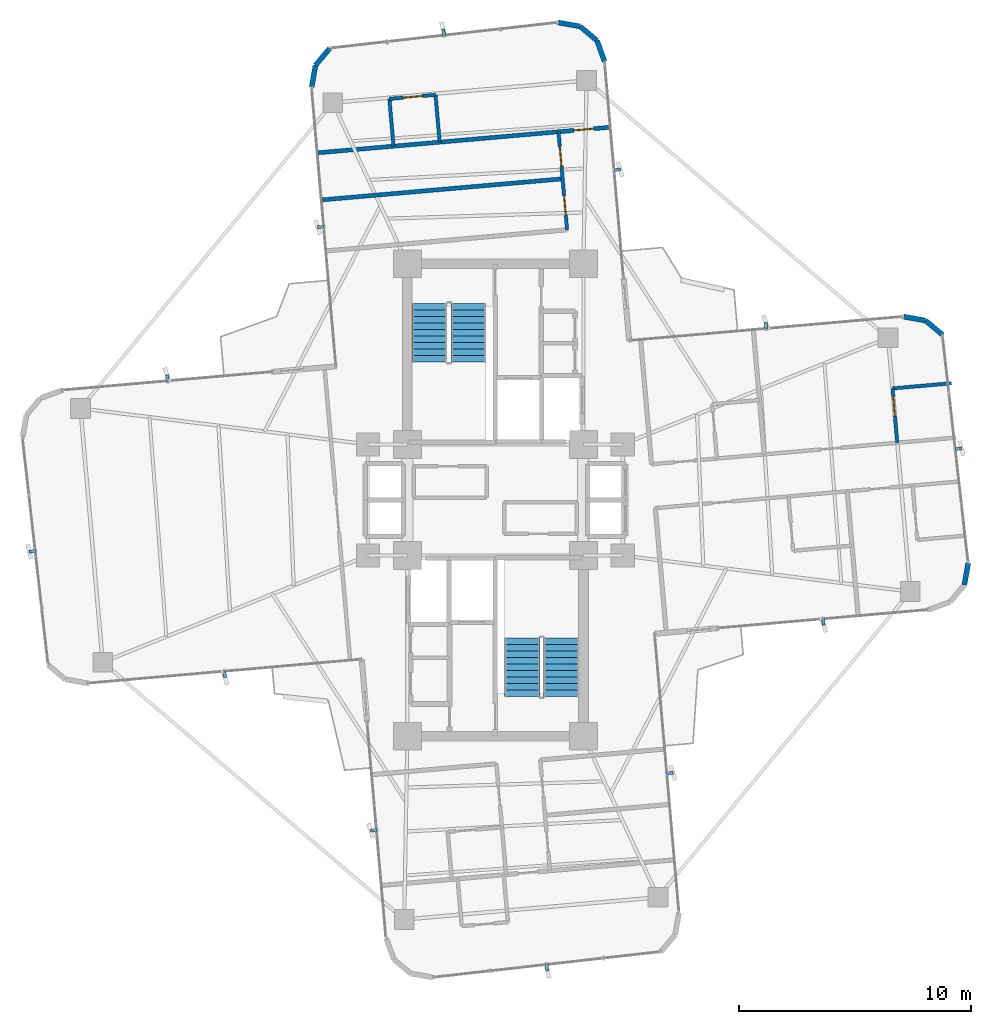
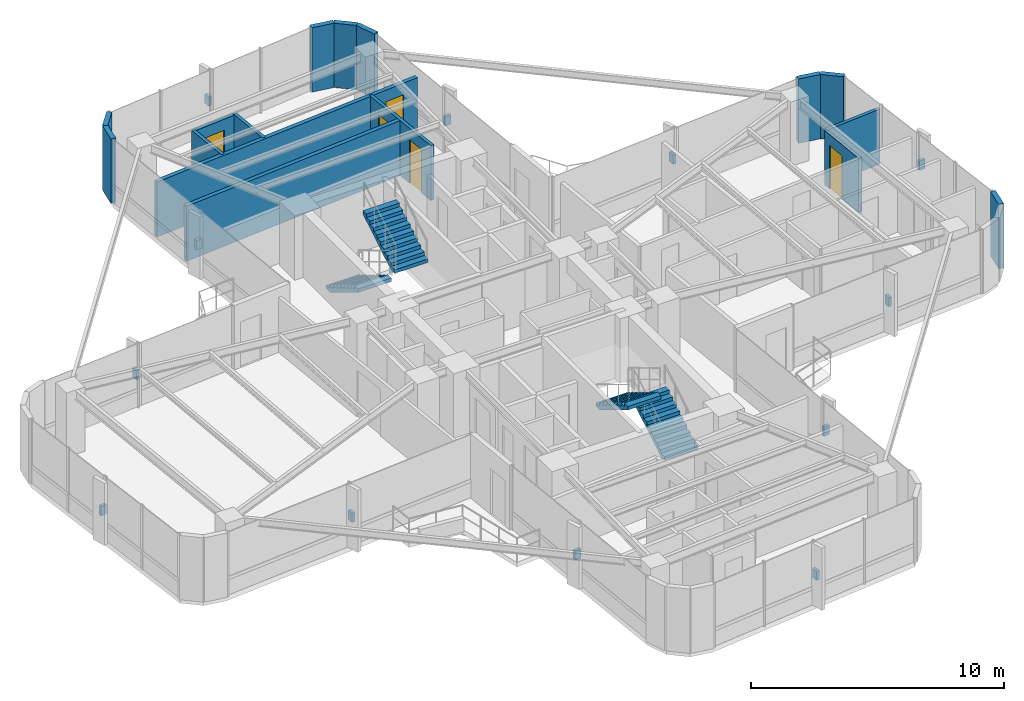
# One storey, part 23 of 24: 16 walls, 12 discrete accessories, 5 doors, 4 stair flights, 5 openings, 2 elements without a shape of their own.
"""IFC4 building model written with IfcOpenShell, lengths in metres."""

from ifc_helpers import new_model, si_unit, direction, frame, frame_2d, origin, origin_2d, place, context, subcontext, project, spatial, polyline, rectangle, outline, extrude, source, transform, mapped, material, layer, layer_set, type_object, element, fill, aggregate, save


model = new_model("IFC4")

# Units and contexts
model_context = context("Model", 3, precision=1e-05, world=origin(), true_north=direction((0.0, 1.0)))
body_context = subcontext(model_context, "Body", "Model", "MODEL_VIEW")
ifc_project = project(units=[si_unit("LENGTHUNIT", "METRE"), si_unit("AREAUNIT", "SQUARE_METRE"), si_unit("VOLUMEUNIT", "CUBIC_METRE"), si_unit("PLANEANGLEUNIT", "RADIAN"), si_unit("MASSUNIT", "GRAM", prefix="KILO")], contexts=[model_context])

# Site, building, storey
site_placement = place(None, origin())
site = spatial("IfcSite", under=ifc_project, at=site_placement, CompositionType="ELEMENT")
building_placement = place(site_placement, origin())
building = spatial("IfcBuilding", under=site, at=building_placement, Name="Sahyath Konkavel Grand Hotel", CompositionType="ELEMENT")
storey_placement = place(building_placement, frame((0.0, 0.0, 164.0)))
storey = spatial("IfcBuildingStorey", under=building, at=storey_placement, Name="L45", CompositionType="ELEMENT", Elevation=164.0)

# Walls
ifc_material_1 = material(Name="Warm Buff Sandstone Insulated Concrete C40/50", Category="masonry")
ifc_layer_1 = layer(ifc_material_1, 0.219970703125)
ifc_layer_set_1 = layer_set([ifc_layer_1], Name="Warm Buff Sandstone Insulated Concrete C40/50")
wall_type_1 = type_object("IfcWallType", Name="WLL-BALC-THRESH", PredefinedType="STANDARD", material=ifc_layer_set_1)
wall_1_placement = place(storey_placement, frame((20.24951171875, -3.674072265625, 0.0), z_axis=(0.0, 0.0, 1.0), x_axis=(0.173610811841, 0.984814340885, 0.0)))
element("IfcWall", 1, at=wall_1_placement, inside=storey, type_object=wall_type_1, Name="L45 Rounded Corner Sandstone Pier 3", PredefinedType="STANDARD", context=body_context, shape_type="SweptSolid", body=[
    extrude(rectangle(XDim=0.957763671875, YDim=0.219970703125, at=frame_2d((0.47900390625, 0.0))), origin(), (0.0, 0.0, 1.0), 3.110107421875),
])
wall_2_placement = place(storey_placement, frame((19.3037109375, 7.134521484375, 0.0), z_axis=(0.0, 0.0, 1.0), x_axis=(-0.766001159887, 0.642839189107, 0.0)))
element("IfcWall", 2, at=wall_2_placement, inside=storey, type_object=wall_type_1, Name="L45 Rounded Corner Sandstone Pier 5", PredefinedType="STANDARD", context=body_context, shape_type="SweptSolid", body=[
    extrude(rectangle(XDim=0.95751953125, YDim=0.219970703125, at=frame_2d((0.478759765625, 0.0))), origin(), (0.0, 0.0, 1.0), 3.110107421875),
])
wall_3_placement = place(storey_placement, frame((18.5703125, 7.75, 0.0), z_axis=(0.0, 0.0, 1.0), x_axis=(-0.984770724397, 0.173858046606, 0.0)))
element("IfcWall", 3, at=wall_3_placement, inside=storey, type_object=wall_type_1, Name="L45 Rounded Corner Sandstone Pier 6", PredefinedType="STANDARD", context=body_context, shape_type="SweptSolid", body=[
    extrude(rectangle(XDim=0.957763671875, YDim=0.219970703125, at=frame_2d((0.47900390625, 0.0))), origin(), (0.0, 0.0, 1.0), 3.110107421875),
])
wall_4_placement = place(storey_placement, frame((4.7177734375, 18.93310546875, 0.0), z_axis=(0.0, 0.0, 1.0), x_axis=(-0.34188635151, 0.939741306239, 0.0)))
element("IfcWall", 4, at=wall_4_placement, inside=storey, type_object=wall_type_1, Name="L45 Rounded Corner Sandstone Pier 9", PredefinedType="STANDARD", context=body_context, shape_type="SweptSolid", body=[
    extrude(rectangle(XDim=0.95751953125, YDim=0.219970703125, at=frame_2d((0.478759765625, 0.0))), origin(), (0.0, 0.0, 1.0), 3.110107421875),
])
for number, where, z_axis, x_axis, name in (
    (5, (4.390380859375, 19.8330078125, 0.0), (0.0, 0.0, 1.0), (-0.765980978054, 0.642863236823, 0.0), "L45 Rounded Corner Sandstone Pier 10"),
    (6, (3.65673828125, 20.44873046875, 0.0), (0.0, 0.0, 1.0), (-0.984814340885, 0.173610811841, 0.0), "L45 Rounded Corner Sandstone Pier 11"),
):
    element("IfcWall", number, at=place(storey_placement, frame(where, z_axis=z_axis, x_axis=x_axis)), inside=storey, type_object=wall_type_1, Name=name, PredefinedType="STANDARD", context=body_context, shape_type="SweptSolid", body=[
        extrude(rectangle(XDim=0.957763671875, YDim=0.219970703125, at=frame_2d((0.47900390625, 0.0))), origin(), (0.0, 0.0, 1.0), 3.110107421875),
    ])
for number, where, z_axis, x_axis, name in (
    (7, (-7.152099609375, 19.5029296875, 0.0), (0.0, 0.0, 1.0), (-0.642713642115, -0.766106503196, 0.0), "L45 Rounded Corner Sandstone Pier 13"),
    (8, (-7.767578125, 18.769287109375, 0.0), (0.0, 0.0, 1.0), (-0.173654409999, -0.984806654064, 0.0), "L45 Rounded Corner Sandstone Pier 14"),
):
    element("IfcWall", number, at=place(storey_placement, frame(where, z_axis=z_axis, x_axis=x_axis)), inside=storey, type_object=wall_type_1, Name=name, PredefinedType="STANDARD", context=body_context, shape_type="SweptSolid", body=[
        extrude(rectangle(XDim=0.95751953125, YDim=0.219970703125, at=frame_2d((0.478759765625, 0.0))), origin(), (0.0, 0.0, 1.0), 3.110107421875),
    ])
ifc_material_2 = material(Name="Twin-Stud Acoustic Gypsum Plasterboard Partition")
ifc_layer_2 = layer(ifc_material_2, 0.179931640625)
ifc_layer_set_2 = layer_set([ifc_layer_2], Name="Twin-Stud Acoustic Gypsum Plasterboard Partition")
wall_type_2 = type_object("IfcWallType", Name="WLL-DEMISE-180", PredefinedType="PARTITIONING", material=ifc_layer_set_2)
wall_5_placement = place(storey_placement, frame((2.902587890625, 13.86572265625, 0.0), z_axis=(0.0, 0.0, 1.0), x_axis=(-0.996194201607, -0.087161417409, 0.0)))
element("IfcWall", 9, at=wall_5_placement, inside=storey, type_object=wall_type_2, Name="L45 Partition N-NSL6-DEM", PredefinedType="PARTITIONING", context=body_context, shape_type="SweptSolid", body=[
    extrude(rectangle(XDim=10.400146484375, YDim=0.179931640625, at=frame_2d((5.2001953125, 0.0))), origin(), (0.0, 0.0, 1.0), 2.659912109375),
])

# Wall, opening, door
wall_6_placement = place(storey_placement, frame((4.91650390625, 16.089599609375, 0.0), z_axis=(0.0, 0.0, 1.0), x_axis=(-0.996196619285, -0.087133780622, 0.0)))
wall_6 = element("IfcWall", 10, at=wall_6_placement, inside=storey, type_object=wall_type_2, Name="L45 Partition N-NTIP-END", PredefinedType="PARTITIONING", context=body_context, shape_type="SweptSolid", body=[
    extrude(rectangle(XDim=12.60009765625, YDim=0.179931640625, at=frame_2d((6.300048828125, 0.0))), origin(), (0.0, 0.0, 1.0), 2.659912109375),
])
opening_1_placement = place(wall_6_placement, frame((0.675048828125, 0.0, 0.0)))
opening_1 = element("IfcOpeningElement", 11, at=opening_1_placement, cuts=wall_6, Name="Opening D-F06D", PredefinedType="OPENING", context=body_context, shape_type="SweptSolid", body=[
    extrude(rectangle(XDim=0.85009765625, YDim=2.10009765625, at=frame_2d((0.425048828125, 1.050048828125))), frame((0.0, 0.10009765625, 0.0), z_axis=(0.0, -1.0, 0.0), x_axis=(1.0, 0.0, 0.0)), (0.0, 0.0, 1.0), 0.199951171875),
])
ifc_material_3 = material(Name="Fire-Rated Shaft Access Door")
door_type_1 = type_object("IfcDoorType", Name="DR-FD60-850", OperationType="NOTDEFINED", PredefinedType="DOOR", material=ifc_material_3)
shared_shape_1 = source(origin(), body_context, "Body", "SweptSolid", [
    extrude(rectangle(XDim=0.85009765625, YDim=0.050048828125, at=origin_2d()), origin(), (0.0, 0.0, 1.0), 2.10009765625),
])
door_1_placement = place(opening_1_placement, frame((0.425048828125, 0.0, 0.0)))
door_1 = element("IfcDoor", 12, at=door_1_placement, inside=storey, type_object=door_type_1, Name="L45 Door N-NTIP-ED", OperationType="SINGLE_SWING_RIGHT", OverallHeight=2.10009765625, OverallWidth=0.85009765625, PredefinedType="DOOR", context=body_context, shape_type="MappedRepresentation", body=[
    mapped(shared_shape_1, transform((0.0, 0.0, 0.0), scale=1.0)),
])
fill(opening_1, door_1)

ifc_material_4 = material(Name="Fire-Rated Gypsum Plasterboard Partition")
ifc_layer_3 = layer(ifc_material_4, 0.14990234375)
ifc_layer_set_3 = layer_set([ifc_layer_3], Name="Fire-Rated Gypsum Plasterboard Partition")
wall_type_3 = type_object("IfcWallType", Name="WLL-PART-150", PredefinedType="PARTITIONING", material=ifc_layer_set_3)
wall_7_placement = place(storey_placement, frame((17.3505859375, 2.4716796875, 0.0), z_axis=(0.0, 0.0, 1.0), x_axis=(-0.087121918963, 0.996197656711, 0.0)))
wall_7 = element("IfcWall", 13, at=wall_7_placement, inside=storey, type_object=wall_type_3, Name="L45 Partition E-E2L-BS", PredefinedType="PARTITIONING", context=body_context, shape_type="SweptSolid", body=[
    extrude(rectangle(XDim=2.35400390625, YDim=0.14990234375, at=frame_2d((1.177001953125, 0.0))), origin(), (0.0, 0.0, 1.0), 2.6298828125),
])
opening_2_placement = place(wall_7_placement, frame((1.154052734375, 0.0, 0.0)))
opening_2 = element("IfcOpeningElement", 14, at=opening_2_placement, cuts=wall_7, Name="Opening D-BT85", PredefinedType="OPENING", context=body_context, shape_type="SweptSolid", body=[
    extrude(rectangle(XDim=0.85009765625, YDim=2.10009765625, at=frame_2d((0.425048828125, 1.050048828125))), frame((0.0, 0.0849609375, 0.0), z_axis=(0.0, -1.0, 0.0), x_axis=(1.0, 0.0, 0.0)), (0.0, 0.0, 1.0), 0.169921875),
])
ifc_material_5 = material(Name="Moisture-Resistant Teak Bathroom Door")
door_type_2 = type_object("IfcDoorType", Name="DR-BATH-850", OperationType="NOTDEFINED", PredefinedType="DOOR", material=ifc_material_5)
door_2_placement = place(opening_2_placement, frame((0.425048828125, 0.0, 0.0)))
door_2 = element("IfcDoor", 15, at=door_2_placement, inside=storey, type_object=door_type_2, Name="L45 Door E-E2L-BD", OperationType="SINGLE_SWING_LEFT", OverallHeight=2.10009765625, OverallWidth=0.85009765625, PredefinedType="DOOR", context=body_context, shape_type="MappedRepresentation", body=[
    mapped(shared_shape_1, transform((0.0, 0.0, 0.0), scale=1.0)),
])
fill(opening_2, door_2)

# Wall
wall_8_placement = place(storey_placement, frame((17.1455078125, 4.816650390625, 0.0), z_axis=(0.0, 0.0, 1.0), x_axis=(0.996197353911, 0.087125381265, 0.0)))
element("IfcWall", 16, at=wall_8_placement, inside=storey, type_object=wall_type_3, Name="L45 Partition E-E2L-BF", PredefinedType="PARTITIONING", context=body_context, shape_type="SweptSolid", body=[
    extrude(rectangle(XDim=2.550048828125, YDim=0.14990234375, at=frame_2d((1.27490234375, 0.0))), origin(), (0.0, 0.0, 1.0), 2.659912109375),
])

# Wall, openings, doors
wall_9_placement = place(storey_placement, frame((3.09521484375, 11.6640625, 0.0), z_axis=(0.0, 0.0, 1.0), x_axis=(-0.087142722004, 0.996195837173, 0.0)))
wall_9 = element("IfcWall", 17, at=wall_9_placement, inside=storey, type_object=wall_type_3, Name="L45 Partition N-G6W", PredefinedType="PARTITIONING", context=body_context, shape_type="SweptSolid", body=[
    extrude(rectangle(XDim=4.25, YDim=0.14990234375, at=frame_2d((2.125, 0.0))), origin(), (0.0, 0.0, 1.0), 2.659912109375),
])
opening_3_placement = place(wall_9_placement, frame((0.6298828125, 0.0, 0.0)))
opening_3 = element("IfcOpeningElement", 18, at=opening_3_placement, cuts=wall_9, Name="Opening D-F06D", PredefinedType="OPENING", context=body_context, shape_type="SweptSolid", body=[
    extrude(rectangle(XDim=0.85009765625, YDim=2.10009765625, at=frame_2d((0.425048828125, 1.050048828125))), frame((0.0, 0.0849609375, 0.0), z_axis=(0.0, -1.0, 0.0), x_axis=(1.0, 0.0, 0.0)), (0.0, 0.0, 1.0), 0.169921875),
])
opening_4_placement = place(wall_9_placement, frame((2.7548828125, 0.0, 0.0)))
opening_4 = element("IfcOpeningElement", 19, at=opening_4_placement, cuts=wall_9, Name="Opening D-F06D", PredefinedType="OPENING", context=body_context, shape_type="SweptSolid", body=[
    extrude(rectangle(XDim=0.85009765625, YDim=2.10009765625, at=frame_2d((0.425048828125, 1.050048828125))), frame((0.0, 0.0849609375, 0.0), z_axis=(0.0, -1.0, 0.0), x_axis=(1.0, 0.0, 0.0)), (0.0, 0.0, 1.0), 0.169921875),
])
door_3_placement = place(opening_3_placement, frame((0.425048828125, 0.0, 0.0)))
door_3 = element("IfcDoor", 20, at=door_3_placement, inside=storey, type_object=door_type_1, Name="L45 Door N-NSL6-D", OperationType="SINGLE_SWING_LEFT", OverallHeight=2.10009765625, OverallWidth=0.85009765625, PredefinedType="DOOR", context=body_context, shape_type="MappedRepresentation", body=[
    mapped(shared_shape_1, transform((0.0, 0.0, 0.0), scale=1.0)),
])
fill(opening_3, door_3)
door_4_placement = place(opening_4_placement, frame((0.425048828125, 0.0, 0.0)))
door_4 = element("IfcDoor", 21, at=door_4_placement, inside=storey, type_object=door_type_1, Name="L45 Door N-ND6-D", OperationType="SINGLE_SWING_RIGHT", OverallHeight=2.10009765625, OverallWidth=0.85009765625, PredefinedType="DOOR", context=body_context, shape_type="MappedRepresentation", body=[
    mapped(shared_shape_1, transform((0.0, 0.0, 0.0), scale=1.0)),
])
fill(opening_4, door_4)

# Walls
for number, where, z_axis, x_axis, name in (
    (22, (-4.39794921875, 15.27490234375, 0.0), (0.0, 0.0, 1.0), (-0.087184680235, 0.996192165966, 0.0), "L45 Partition N-NTIP-BN"),
    (23, (-2.405517578125, 15.44921875, 0.0), (0.0, 0.0, 1.0), (-0.087184680235, 0.996192165966, 0.0), "L45 Partition N-NTIP-BS"),
):
    element("IfcWall", number, at=place(storey_placement, frame(where, z_axis=z_axis, x_axis=x_axis)), inside=storey, type_object=wall_type_3, Name=name, PredefinedType="PARTITIONING", context=body_context, shape_type="SweptSolid", body=[
        extrude(rectangle(XDim=2.0498046875, YDim=0.14990234375, at=frame_2d((1.02490234375, 0.0))), origin(), (0.0, 0.0, 1.0), 2.659912109375),
    ])

# Wall, opening, door
wall_10_placement = place(storey_placement, frame((-2.584228515625, 17.4912109375, 0.0), z_axis=(0.0, 0.0, 1.0), x_axis=(-0.99619464492, -0.087156350505, 0.0)))
wall_10 = element("IfcWall", 24, at=wall_10_placement, inside=storey, type_object=wall_type_3, Name="L45 Partition N-NTIP-BE", PredefinedType="PARTITIONING", context=body_context, shape_type="SweptSolid", body=[
    extrude(rectangle(XDim=2.0, YDim=0.14990234375, at=frame_2d((1.0, 0.0))), origin(), (0.0, 0.0, 1.0), 2.6298828125),
])
opening_5_placement = place(wall_10_placement, frame((0.550048828125, 0.0, 0.0)))
opening_5 = element("IfcOpeningElement", 25, at=opening_5_placement, cuts=wall_10, Name="Opening D-BT85", PredefinedType="OPENING", context=body_context, shape_type="SweptSolid", body=[
    extrude(rectangle(XDim=0.85009765625, YDim=2.10009765625, at=frame_2d((0.425048828125, 1.050048828125))), frame((0.0, 0.0849609375, 0.0), z_axis=(0.0, -1.0, 0.0), x_axis=(1.0, 0.0, 0.0)), (0.0, 0.0, 1.0), 0.169921875),
])
door_5_placement = place(opening_5_placement, frame((0.425048828125, 0.0, 0.0)))
door_5 = element("IfcDoor", 26, at=door_5_placement, inside=storey, type_object=door_type_2, Name="L45 Door N-NTIP-BD", OperationType="SINGLE_SWING_LEFT", OverallHeight=2.10009765625, OverallWidth=0.85009765625, PredefinedType="DOOR", context=body_context, shape_type="MappedRepresentation", body=[
    mapped(shared_shape_1, transform((0.0, 0.0, 0.0), scale=1.0)),
])
fill(opening_5, door_5)

# Stair, stair flights
ifc_material_6 = material(Name="Concrete C40/50", Category="concrete")
stair_type = type_object("IfcStairType", Name="STR-ST16-335", PredefinedType="HALF_TURN_STAIR", material=ifc_material_6)
stair_1_placement = place(storey_placement, origin())
stair_1 = element("IfcStair", 27, at=stair_1_placement, inside=storey, type_object=stair_type, Name="L45 North Core Smokeproof Exit Stair ST-1", PredefinedType="HALF_TURN_STAIR")
stair_flight_type = type_object("IfcStairFlightType", Name="STF-ST16-335", PredefinedType="STRAIGHT", material=ifc_material_6)
stair_flight_1_placement = place(storey_placement, frame((-2.840087890625, 8.47998046875, 0.0), z_axis=(0.0, 0.0, 1.0), x_axis=(0.0, -1.0, 0.0)))
stair_flight_1 = element("IfcStairFlight", 28, at=stair_flight_1_placement, type_object=stair_flight_type, Name="ST-1 flight 1", NumberOfRisers=10, NumberOfTreads=9, PredefinedType="STRAIGHT", RiserHeight=0.1675, TreadLength=0.28, context=body_context, shape_type="SweptSolid", body=[
    extrude(outline(polyline([(0.0, 0.0), (0.0, 0.16748046875), (0.280029296875, 0.16748046875), (0.280029296875, 0.3349609375), (0.56005859375, 0.3349609375), (0.56005859375, 0.50244140625), (0.840087890625, 0.50244140625), (0.840087890625, 0.669921875), (1.1201171875, 0.669921875), (1.1201171875, 0.83740234375), (1.39990234375, 0.83740234375), (1.39990234375, 1.0048828125), (1.679931640625, 1.0048828125), (1.679931640625, 1.172607421875), (1.9599609375, 1.172607421875), (1.9599609375, 1.340087890625), (2.239990234375, 1.340087890625), (2.239990234375, 1.507568359375), (2.52001953125, 1.507568359375), (2.52001953125, 1.675048828125), (2.52001953125, 1.332763671875), (0.2919921875, 0.0), (0.0, 0.0)])), frame((0.0, 0.760009765625, 0.0), z_axis=(0.0, -1.0, 0.0), x_axis=(1.0, 0.0, 0.0)), (0.0, 0.0, 1.0), 1.52001953125),
])
stair_flight_2_placement = place(storey_placement, frame((-1.159912109375, 5.9599609375, 1.675048828125), z_axis=(0.0, 0.0, 1.0), x_axis=(0.0, 1.0, 0.0)))
stair_flight_2 = element("IfcStairFlight", 29, at=stair_flight_2_placement, type_object=stair_flight_type, Name="ST-1 flight 2", NumberOfRisers=10, NumberOfTreads=9, PredefinedType="STRAIGHT", RiserHeight=0.1675, TreadLength=0.28, context=body_context, shape_type="SweptSolid", body=[
    extrude(outline(polyline([(0.0, 0.0), (0.0, 0.16748046875), (0.280029296875, 0.16748046875), (0.280029296875, 0.3349609375), (0.56005859375, 0.3349609375), (0.56005859375, 0.50244140625), (0.840087890625, 0.50244140625), (0.840087890625, 0.669921875), (1.1201171875, 0.669921875), (1.1201171875, 0.83740234375), (1.39990234375, 0.83740234375), (1.39990234375, 1.0048828125), (1.679931640625, 1.0048828125), (1.679931640625, 1.172607421875), (1.9599609375, 1.172607421875), (1.9599609375, 1.340087890625), (2.239990234375, 1.340087890625), (2.239990234375, 1.507568359375), (2.52001953125, 1.507568359375), (2.52001953125, 1.675048828125), (2.52001953125, 1.332763671875), (0.2919921875, 0.0), (0.0, 0.0)])), frame((0.0, 0.760009765625, 0.0), z_axis=(0.0, -1.0, 0.0), x_axis=(1.0, 0.0, 0.0)), (0.0, 0.0, 1.0), 1.52001953125),
])
aggregate(stair_1, [stair_flight_1, stair_flight_2])

stair_2_placement = place(storey_placement, origin())
stair_2 = element("IfcStair", 30, at=stair_2_placement, inside=storey, type_object=stair_type, Name="L45 South Core Smokeproof Exit Stair ST-2", PredefinedType="HALF_TURN_STAIR")
stair_flight_3_placement = place(storey_placement, frame((2.840087890625, -8.47998046875, 0.0), z_axis=(0.0, 0.0, 1.0), x_axis=(0.0, 1.0, 0.0)))
stair_flight_3 = element("IfcStairFlight", 31, at=stair_flight_3_placement, type_object=stair_flight_type, Name="ST-2 flight 1", NumberOfRisers=10, NumberOfTreads=9, PredefinedType="STRAIGHT", RiserHeight=0.1675, TreadLength=0.28, context=body_context, shape_type="SweptSolid", body=[
    extrude(outline(polyline([(0.0, 0.0), (0.0, 0.16748046875), (0.280029296875, 0.16748046875), (0.280029296875, 0.3349609375), (0.56005859375, 0.3349609375), (0.56005859375, 0.50244140625), (0.840087890625, 0.50244140625), (0.840087890625, 0.669921875), (1.1201171875, 0.669921875), (1.1201171875, 0.83740234375), (1.39990234375, 0.83740234375), (1.39990234375, 1.0048828125), (1.679931640625, 1.0048828125), (1.679931640625, 1.172607421875), (1.9599609375, 1.172607421875), (1.9599609375, 1.340087890625), (2.239990234375, 1.340087890625), (2.239990234375, 1.507568359375), (2.52001953125, 1.507568359375), (2.52001953125, 1.675048828125), (2.52001953125, 1.332763671875), (0.2919921875, 0.0), (0.0, 0.0)])), frame((0.0, 0.760009765625, 0.0), z_axis=(0.0, -1.0, 0.0), x_axis=(1.0, 0.0, 0.0)), (0.0, 0.0, 1.0), 1.52001953125),
])
stair_flight_4_placement = place(storey_placement, frame((1.159912109375, -5.9599609375, 1.675048828125), z_axis=(0.0, 0.0, 1.0), x_axis=(0.0, -1.0, 0.0)))
stair_flight_4 = element("IfcStairFlight", 32, at=stair_flight_4_placement, type_object=stair_flight_type, Name="ST-2 flight 2", NumberOfRisers=10, NumberOfTreads=9, PredefinedType="STRAIGHT", RiserHeight=0.1675, TreadLength=0.28, context=body_context, shape_type="SweptSolid", body=[
    extrude(outline(polyline([(0.0, 0.0), (0.0, 0.16748046875), (0.280029296875, 0.16748046875), (0.280029296875, 0.3349609375), (0.56005859375, 0.3349609375), (0.56005859375, 0.50244140625), (0.840087890625, 0.50244140625), (0.840087890625, 0.669921875), (1.1201171875, 0.669921875), (1.1201171875, 0.83740234375), (1.39990234375, 0.83740234375), (1.39990234375, 1.0048828125), (1.679931640625, 1.0048828125), (1.679931640625, 1.172607421875), (1.9599609375, 1.172607421875), (1.9599609375, 1.340087890625), (2.239990234375, 1.340087890625), (2.239990234375, 1.507568359375), (2.52001953125, 1.507568359375), (2.52001953125, 1.675048828125), (2.52001953125, 1.332763671875), (0.2919921875, 0.0), (0.0, 0.0)])), frame((0.0, 0.760009765625, 0.0), z_axis=(0.0, -1.0, 0.0), x_axis=(1.0, 0.0, 0.0)), (0.0, 0.0, 1.0), 1.52001953125),
])
aggregate(stair_2, [stair_flight_3, stair_flight_4])

# Discrete accessories
ifc_material_7 = material(Name="Steel E350", Category="steel")
discrete_accessory_type = type_object("IfcDiscreteAccessoryType", Name="ACC-FIN-BRACKET", PredefinedType="BRACKET", material=ifc_material_7)
shared_shape_2 = source(origin(), body_context, "Body", "SweptSolid", [
    extrude(rectangle(XDim=0.280029296875, YDim=0.139892578125, at=origin_2d()), origin(), (0.0, 0.0, 1.0), 0.449951171875),
])
for number, where, z_axis, x_axis, name in (
    (33, (14.162841796875, -5.265625, 1.330078125), (0.0, 0.0, 1.0), (0.087155742748, -0.996194698092, 0.0), "L45 Fin Support Bracket F0-1"),
    (34, (19.989013671875, 2.21630859375, 1.330078125), (0.0, 0.0, 1.0), (0.993709417943, 0.111989252568, 0.0), "L45 Fin Support Bracket F4-2"),
    (35, (11.6884765625, 7.52734375, 1.330078125), (0.0, 0.0, 1.0), (-0.087155742748, 0.996194698092, 0.0), "L45 Fin Support Bracket F7-1"),
    (36, (5.2568359375, 14.262451171875, 1.330078125), (0.0, 0.0, 1.0), (0.996194698092, 0.087155742748, 0.0), "L45 Fin Support Bracket F8-1"),
    (37, (-2.23388671875, 20.188232421875, 1.330078125), (0.0, 0.0, 1.0), (-0.112006596052, 0.993707463211, 0.0), "L45 Fin Support Bracket F12-2"),
    (38, (-7.5361328125, 11.7880859375, 1.330078125), (0.0, 0.0, 1.0), (-0.996194698092, -0.087155742748, 0.0), "L45 Fin Support Bracket F15-1"),
    (39, (-14.162841796875, 5.265625, 1.330078125), (0.0, 0.0, 1.0), (-0.087155742748, 0.996194698092, 0.0), "L45 Fin Support Bracket F16-1"),
    (40, (-19.989013671875, -2.21630859375, 1.330078125), (0.0, 0.0, 1.0), (-0.993709417943, -0.111989252568, 0.0), "L45 Fin Support Bracket F20-2"),
    (41, (-11.6884765625, -7.52734375, 1.330078125), (0.0, 0.0, 1.0), (0.087155742748, -0.996194698092, 0.0), "L45 Fin Support Bracket F23-1"),
    (42, (-5.2568359375, -14.262451171875, 1.330078125), (0.0, 0.0, 1.0), (-0.996194698092, -0.087155742748, 0.0), "L45 Fin Support Bracket F24-1"),
    (43, (2.23388671875, -20.188232421875, 1.330078125), (0.0, 0.0, 1.0), (0.112006596052, -0.993707463211, 0.0), "L45 Fin Support Bracket F28-2"),
    (44, (7.5361328125, -11.7880859375, 1.330078125), (0.0, 0.0, 1.0), (0.996194698092, 0.087155742748, 0.0), "L45 Fin Support Bracket F31-1"),
):
    element("IfcDiscreteAccessory", number, at=place(storey_placement, frame(where, z_axis=z_axis, x_axis=x_axis)), inside=storey, type_object=discrete_accessory_type, Name=name, PredefinedType="BRACKET", context=body_context, shape_type="MappedRepresentation", body=[
        mapped(shared_shape_2, transform((0.0, 0.0, 0.0), scale=1.0)),
    ])

save(model, "model.ifc")
